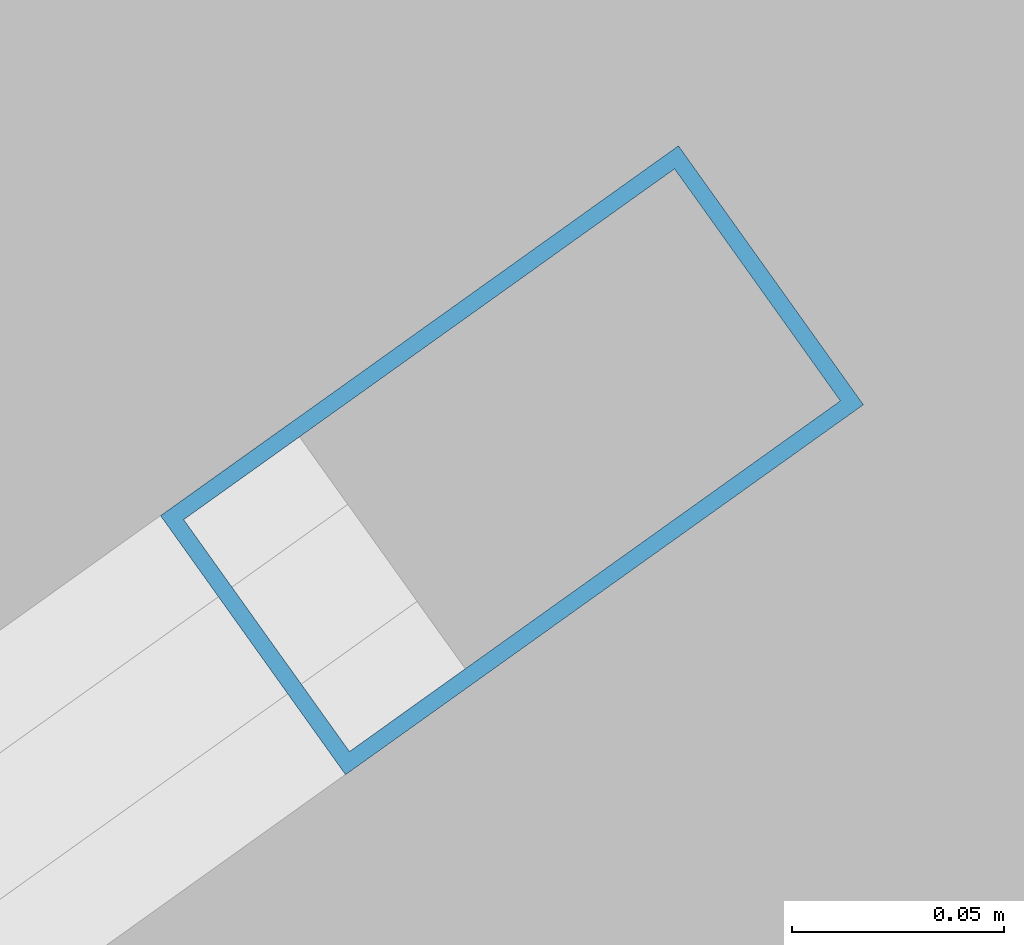
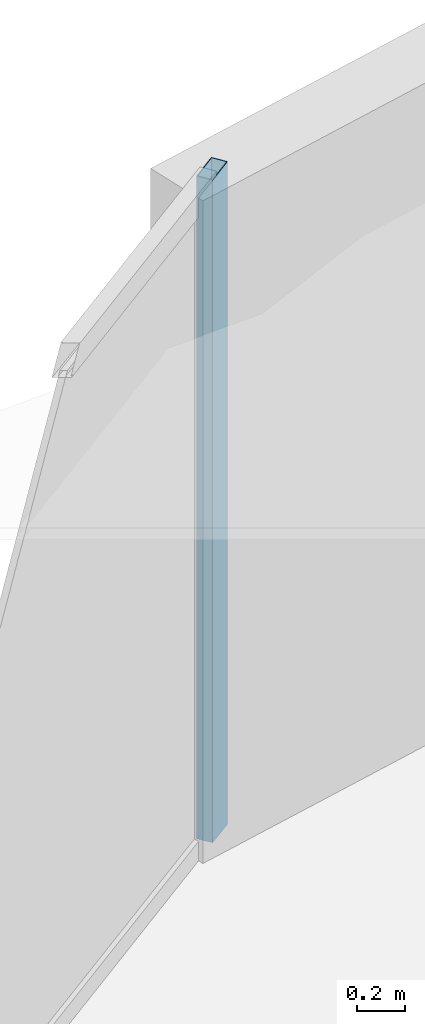
# One storey, part 19 of 33: 1 member, 1 element without a shape of its own.
"""IFC4 building model written with IfcOpenShell, lengths in metres."""

from ifc_helpers import new_model, si_unit, direction, frame, origin, origin_2d, place, context, subcontext, project, spatial, hollow_rectangle, extrude, material, layer, layer_set, material_profile, profile_set, type_object, element, aggregate, save


model = new_model("IFC4")

# Units and contexts
model_context = context("Model", 3, precision=1e-05, world=origin(), true_north=direction((0.0, 1.0)))
body_context = subcontext(model_context, "Body", "Model", "MODEL_VIEW")
ifc_project = project(units=[si_unit("LENGTHUNIT", "METRE"), si_unit("AREAUNIT", "SQUARE_METRE"), si_unit("VOLUMEUNIT", "CUBIC_METRE"), si_unit("PLANEANGLEUNIT", "RADIAN"), si_unit("MASSUNIT", "GRAM", prefix="KILO")], contexts=[model_context])

# Site, building, storey
site_placement = place(None, origin())
site = spatial("IfcSite", under=ifc_project, at=site_placement, CompositionType="ELEMENT")
building_placement = place(site_placement, origin())
building = spatial("IfcBuilding", under=site, at=building_placement, Name="Kazevale Care Tower and Concert Hall", CompositionType="ELEMENT")
storey_placement = place(building_placement, frame((0.0, 0.0, 153.0)))
storey = spatial("IfcBuildingStorey", under=building, at=storey_placement, Name="L40", CompositionType="ELEMENT", Elevation=153.0)

# Curtain wall, member
ifc_material_1 = material(Name="Aluminium 6063-T6 and Low-E Glass", Category="aluminium")
ifc_layer = layer(ifc_material_1, 0.179931640625)
ifc_layer_set = layer_set([ifc_layer], Name="Aluminium 6063-T6 and Low-E Glass")
curtain_wall_type = type_object("IfcCurtainWallType", Name="Convex Recessed Sunroom Curtain Wall CW-3", PredefinedType="NOTDEFINED", material=ifc_layer_set)
curtain_wall_placement = place(storey_placement, origin())
curtain_wall = element("IfcCurtainWall", 1, at=curtain_wall_placement, inside=storey, type_object=curtain_wall_type, Name="cw:L40:f14", PredefinedType="NOTDEFINED")
ifc_material_2 = material(Name="Aluminium 6063-T6", Category="aluminium")
ifc_material_profile = material_profile(ifc_material_2, hollow_rectangle(XDim=0.074951171875, YDim=0.14990234375, WallThickness=0.00390625, at=origin_2d()), Name="ALU75x150x4")
ifc_profile_set = profile_set([ifc_material_profile], Name="Aluminium 6063-T6")
member_type = type_object("IfcMemberType", Name="CW-3 Mullion ALU75x150x4", PredefinedType="MULLION", material=ifc_profile_set)
member_placement = place(storey_placement, frame((26.70947265625, 60.662109375, 0.0), z_axis=(0.0, 0.0, 1.0), x_axis=(-0.58132396176, 0.813672201494, 0.0)))
member = element("IfcMember", 2, at=member_placement, type_object=member_type, Name="CW-3 mullion 2", PredefinedType="MULLION", context=body_context, shape_type="SweptSolid", body=[
    extrude(hollow_rectangle(XDim=0.074951171875, YDim=0.14990234375, WallThickness=0.00390625, at=origin_2d()), origin(), (0.0, 0.0, 1.0), 3.360107421875),
])
aggregate(curtain_wall, [member])

save(model, "model.ifc")
